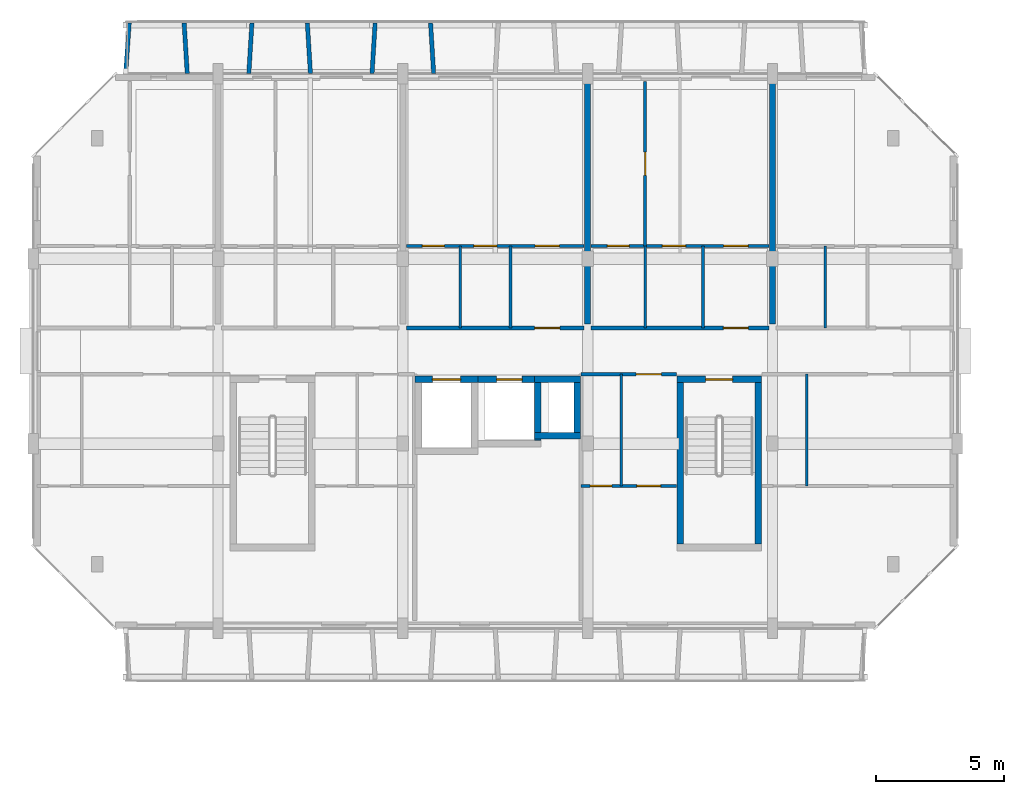
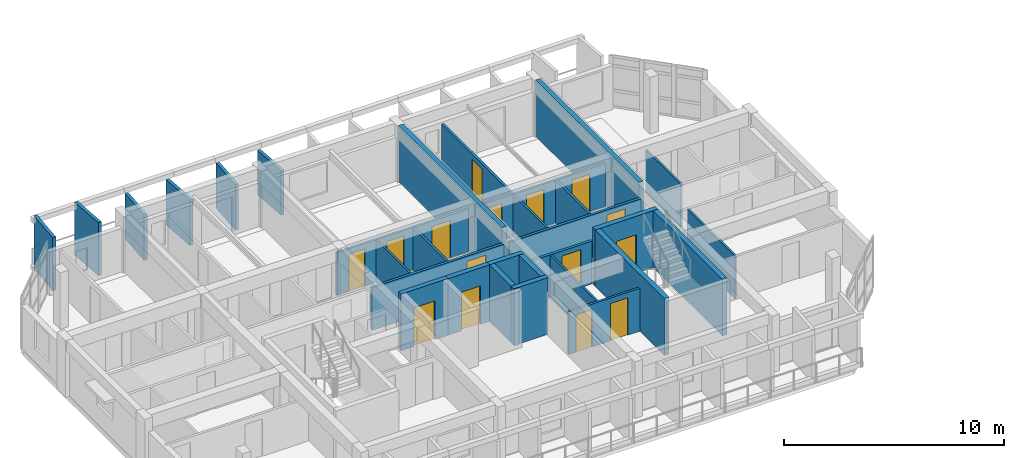
# One storey, part 21 of 45: 31 walls, 15 doors, 15 openings.
"""IFC4 building model written with IfcOpenShell, lengths in metres."""

from ifc_helpers import new_model, si_unit, direction, frame, frame_2d, origin, place, context, subcontext, project, spatial, rectangle, extrude, material, layer, layer_set, type_object, element, fill, save


model = new_model("IFC4")

# Units and contexts
model_context = context("Model", 3, precision=1e-05, world=origin(), true_north=direction((0.0, 1.0)))
body_context = subcontext(model_context, "Body", "Model", "MODEL_VIEW")
ifc_project = project(units=[si_unit("LENGTHUNIT", "METRE"), si_unit("AREAUNIT", "SQUARE_METRE"), si_unit("VOLUMEUNIT", "CUBIC_METRE"), si_unit("PLANEANGLEUNIT", "RADIAN"), si_unit("MASSUNIT", "GRAM", prefix="KILO")], contexts=[model_context])

# Site, building, storey
site_placement = place(None, origin())
site = spatial("IfcSite", under=ifc_project, at=site_placement, CompositionType="ELEMENT")
building_placement = place(site_placement, origin())
building = spatial("IfcBuilding", under=site, at=building_placement, Name="Ochrevale Crest", CompositionType="ELEMENT")
storey_placement = place(building_placement, frame((0.0, 0.0, 18.14990234375)))
storey = spatial("IfcBuildingStorey", under=building, at=storey_placement, Name="L05", CompositionType="ELEMENT", Elevation=18.14990234375)

# Wall, opening, door
ifc_material_1 = material(Name="Gypsum plasterboard", Category="gypsum")
ifc_layer_1 = layer(ifc_material_1, 0.139892578125)
ifc_layer_set_1 = layer_set([ifc_layer_1], Name="Gypsum plasterboard")
wall_type_1 = type_object("IfcWallType", Name="WL-COR-140", PredefinedType="PARTITIONING", material=ifc_layer_set_1)
wall_1_placement = place(storey_placement, frame((14.5400390625, 83.699951171875, 0.0), z_axis=(0.0, 0.0, 1.0), x_axis=(1.0, 0.0, 0.0)))
wall_1 = element("IfcWall", 1, at=wall_1_placement, inside=storey, type_object=wall_type_1, Name="Apartment B-L05-U3 corridor wall", PredefinedType="PARTITIONING", context=body_context, shape_type="SweptSolid", body=[
    extrude(rectangle(XDim=6.919921875, YDim=0.139892578125, at=frame_2d((3.4599609375, 0.0))), origin(), (0.0, 0.0, 1.0), 2.380126953125),
])
opening_1_placement = place(wall_1_placement, frame((4.9951171875, 0.0, 0.0)))
opening_1 = element("IfcOpeningElement", 2, at=opening_1_placement, cuts=wall_1, Name="Opening FD01", PredefinedType="OPENING", context=body_context, shape_type="SweptSolid", body=[
    extrude(rectangle(XDim=0.97998046875, YDim=2.10009765625, at=frame_2d((0.489990234375, 1.050048828125))), frame((0.0, 0.080078125, 0.0), z_axis=(0.0, -1.0, 0.0), x_axis=(1.0, 0.0, 0.0)), (0.0, 0.0, 1.0), 0.159912109375),
])
ifc_material_2 = material(Name="Solid-core FSC hardwood", Category="wood")
door_type_1 = type_object("IfcDoorType", Name="DR-APT-950", OperationType="NOTDEFINED", PredefinedType="DOOR", material=ifc_material_2)
door_1_placement = place(opening_1_placement, origin())
door_1 = element("IfcDoor", 3, at=door_1_placement, inside=storey, type_object=door_type_1, Name="Apartment B-L05-U3 entrance door", OperationType="SINGLE_SWING_LEFT", OverallHeight=2.10009765625, OverallWidth=0.97998046875, PredefinedType="DOOR", context=body_context, shape_type="SweptSolid", body=[
    extrude(rectangle(XDim=0.97998046875, YDim=2.10009765625, at=frame_2d((0.489990234375, 1.050048828125))), frame((0.0, 0.02490234375, 0.0), z_axis=(0.0, -1.0, 0.0), x_axis=(1.0, 0.0, 0.0)), (0.0, 0.0, 1.0), 0.050048828125),
])
fill(opening_1, door_1)

wall_2_placement = place(storey_placement, frame((21.739990234375, 83.699951171875, 0.0), z_axis=(0.0, 0.0, 1.0), x_axis=(1.0, 0.0, 0.0)))
wall_2 = element("IfcWall", 4, at=wall_2_placement, inside=storey, type_object=wall_type_1, Name="Apartment B-L05-U4 corridor wall", PredefinedType="PARTITIONING", context=body_context, shape_type="SweptSolid", body=[
    extrude(rectangle(XDim=6.919921875, YDim=0.139892578125, at=frame_2d((3.4599609375, 0.0))), origin(), (0.0, 0.0, 1.0), 2.380126953125),
])
opening_2_placement = place(wall_2_placement, frame((5.14501953125, 0.0, 0.0)))
opening_2 = element("IfcOpeningElement", 5, at=opening_2_placement, cuts=wall_2, Name="Opening FD01", PredefinedType="OPENING", context=body_context, shape_type="SweptSolid", body=[
    extrude(rectangle(XDim=0.97998046875, YDim=2.10009765625, at=frame_2d((0.489990234375, 1.050048828125))), frame((0.0, 0.080078125, 0.0), z_axis=(0.0, -1.0, 0.0), x_axis=(1.0, 0.0, 0.0)), (0.0, 0.0, 1.0), 0.159912109375),
])
door_2_placement = place(opening_2_placement, origin())
door_2 = element("IfcDoor", 6, at=door_2_placement, inside=storey, type_object=door_type_1, Name="Apartment B-L05-U4 entrance door", OperationType="SINGLE_SWING_LEFT", OverallHeight=2.10009765625, OverallWidth=0.97998046875, PredefinedType="DOOR", context=body_context, shape_type="SweptSolid", body=[
    extrude(rectangle(XDim=0.97998046875, YDim=2.10009765625, at=frame_2d((0.489990234375, 1.050048828125))), frame((0.0, 0.02490234375, 0.0), z_axis=(0.0, -1.0, 0.0), x_axis=(1.0, 0.0, 0.0)), (0.0, 0.0, 1.0), 0.050048828125),
])
fill(opening_2, door_2)

wall_3_placement = place(storey_placement, frame((21.340087890625, 81.89990234375, 0.0), z_axis=(0.0, 0.0, 1.0), x_axis=(1.0, 0.0, 0.0)))
wall_3 = element("IfcWall", 7, at=wall_3_placement, inside=storey, type_object=wall_type_1, Name="Suite B-L05-ME corridor wall", PredefinedType="PARTITIONING", context=body_context, shape_type="SweptSolid", body=[
    extrude(rectangle(XDim=3.719970703125, YDim=0.139892578125, at=frame_2d((1.85986328125, 0.0))), origin(), (0.0, 0.0, 1.0), 2.380126953125),
])
opening_3_placement = place(wall_3_placement, frame((3.131103515625, 0.0, 0.0), z_axis=(0.0, 0.0, 1.0), x_axis=(-1.0, 0.0, 0.0)))
opening_3 = element("IfcOpeningElement", 8, at=opening_3_placement, cuts=wall_3, Name="Opening FD01", PredefinedType="OPENING", context=body_context, shape_type="SweptSolid", body=[
    extrude(rectangle(XDim=0.97998046875, YDim=2.10009765625, at=frame_2d((0.489990234375, 1.050048828125))), frame((0.0, 0.080078125, 0.0), z_axis=(0.0, -1.0, 0.0), x_axis=(1.0, 0.0, 0.0)), (0.0, 0.0, 1.0), 0.159912109375),
])
door_3_placement = place(opening_3_placement, origin())
door_3 = element("IfcDoor", 9, at=door_3_placement, inside=storey, type_object=door_type_1, Name="Suite B-L05-ME entrance door", OperationType="SINGLE_SWING_RIGHT", OverallHeight=2.10009765625, OverallWidth=0.97998046875, PredefinedType="DOOR", context=body_context, shape_type="SweptSolid", body=[
    extrude(rectangle(XDim=0.97998046875, YDim=2.10009765625, at=frame_2d((0.489990234375, 1.050048828125))), frame((0.0, 0.02490234375, 0.0), z_axis=(0.0, -1.0, 0.0), x_axis=(1.0, 0.0, 0.0)), (0.0, 0.0, 1.0), 0.050048828125),
])
fill(opening_3, door_3)

ifc_material_3 = material(Name="Precast concrete C50/60", Category="concrete")
ifc_layer_2 = layer(ifc_material_3, 0.2548828125)
ifc_layer_set_2 = layer_set([ifc_layer_2], Name="Precast concrete C50/60")
wall_type_2 = type_object("IfcWallType", Name="WL-CORE-255", PredefinedType="SHEAR", material=ifc_layer_set_2)
wall_4_placement = place(storey_placement, frame((25.072509765625, 81.699951171875, 0.0), z_axis=(0.0, 0.0, 1.0), x_axis=(1.0, 0.0, 0.0)))
wall_4 = element("IfcWall", 10, at=wall_4_placement, inside=storey, type_object=wall_type_2, Name="Block B L05 Stair 2 precast core shear wall N", PredefinedType="SHEAR", context=body_context, shape_type="SweptSolid", body=[
    extrude(rectangle(XDim=3.304931640625, YDim=0.2548828125, at=frame_2d((1.65234375, 0.0))), origin(), (0.0, 0.0, 1.0), 3.150146484375),
])
opening_4_placement = place(wall_4_placement, frame((1.12744140625, 0.0, 0.0)))
opening_4 = element("IfcOpeningElement", 11, at=opening_4_placement, cuts=wall_4, Name="Opening FD03", PredefinedType="OPENING", context=body_context, shape_type="SweptSolid", body=[
    extrude(rectangle(XDim=1.050048828125, YDim=2.1201171875, at=frame_2d((0.52490234375, 1.06005859375))), frame((0.0, 0.137451171875, 0.0), z_axis=(0.0, -1.0, 0.0), x_axis=(1.0, 0.0, 0.0)), (0.0, 0.0, 1.0), 0.27490234375),
])
door_type_2 = type_object("IfcDoorType", Name="DR-ST-1050", OperationType="NOTDEFINED", PredefinedType="DOOR", material=ifc_material_2)
door_4_placement = place(opening_4_placement, origin())
door_4 = element("IfcDoor", 12, at=door_4_placement, inside=storey, type_object=door_type_2, Name="Block B L05 fire stair 2 door", OperationType="SINGLE_SWING_LEFT", OverallHeight=2.1201171875, OverallWidth=1.050048828125, PredefinedType="DOOR", context=body_context, shape_type="SweptSolid", body=[
    extrude(rectangle(XDim=1.050048828125, YDim=2.1201171875, at=frame_2d((0.52490234375, 1.06005859375))), frame((0.0, 0.02490234375, 0.0), z_axis=(0.0, -1.0, 0.0), x_axis=(1.0, 0.0, 0.0)), (0.0, 0.0, 1.0), 0.050048828125),
])
fill(opening_4, door_4)

# Walls
for number, where, z_axis, x_axis, name in (
    (13, (25.199951171875, 75.277587890625, 0.0), (0.0, 0.0, 1.0), (0.0, 1.0, 0.0), "Block B L05 Stair 2 precast core shear wall W"),
    (14, (28.25, 75.277587890625, 0.0), (0.0, 0.0, 1.0), (0.0, 1.0, 0.0), "Block B L05 Stair 2 precast core shear wall E"),
):
    element("IfcWall", number, at=place(storey_placement, frame(where, z_axis=z_axis, x_axis=x_axis)), inside=storey, type_object=wall_type_2, Name=name, PredefinedType="SHEAR", context=body_context, shape_type="SweptSolid", body=[
        extrude(rectangle(XDim=6.294921875, YDim=0.2548828125, at=frame_2d((3.1474609375, 0.0))), origin(), (0.0, 0.0, 1.0), 3.150146484375),
    ])

# Wall, opening, door
wall_5_placement = place(storey_placement, frame((14.87255859375, 81.699951171875, 0.0), z_axis=(0.0, 0.0, 1.0), x_axis=(1.0, 0.0, 0.0)))
wall_5 = element("IfcWall", 15, at=wall_5_placement, inside=storey, type_object=wall_type_2, Name="Block B L05 Lift 1 precast shaft shear wall N", PredefinedType="SHEAR", context=body_context, shape_type="SweptSolid", body=[
    extrude(rectangle(XDim=2.454833984375, YDim=0.2548828125, at=frame_2d((1.2275390625, 0.0))), origin(), (0.0, 0.0, 1.0), 3.150146484375),
])
opening_5_placement = place(wall_5_placement, frame((0.677490234375, 0.0, 0.0)))
opening_5 = element("IfcOpeningElement", 16, at=opening_5_placement, cuts=wall_5, Name="Opening LD01", PredefinedType="OPENING", context=body_context, shape_type="SweptSolid", body=[
    extrude(rectangle(XDim=1.10009765625, YDim=2.14990234375, at=frame_2d((0.550048828125, 1.074951171875))), frame((0.0, 0.137451171875, 0.0), z_axis=(0.0, -1.0, 0.0), x_axis=(1.0, 0.0, 0.0)), (0.0, 0.0, 1.0), 0.27490234375),
])
door_type_3 = type_object("IfcDoorType", Name="DR-LIFT-1100", OperationType="NOTDEFINED", PredefinedType="DOOR", material=ifc_material_2)
door_5_placement = place(opening_5_placement, origin())
door_5 = element("IfcDoor", 17, at=door_5_placement, inside=storey, type_object=door_type_3, Name="Lift LF-B1 L05 sliding landing door", OperationType="SLIDING_TO_LEFT", OverallHeight=2.14990234375, OverallWidth=1.10009765625, PredefinedType="DOOR", context=body_context, shape_type="SweptSolid", body=[
    extrude(rectangle(XDim=1.10009765625, YDim=2.14990234375, at=frame_2d((0.550048828125, 1.074951171875))), frame((0.0, 0.02490234375, 0.0), z_axis=(0.0, -1.0, 0.0), x_axis=(1.0, 0.0, 0.0)), (0.0, 0.0, 1.0), 0.050048828125),
])
fill(opening_5, door_5)

wall_6_placement = place(storey_placement, frame((17.322509765625, 81.699951171875, 0.0), z_axis=(0.0, 0.0, 1.0), x_axis=(1.0, 0.0, 0.0)))
wall_6 = element("IfcWall", 18, at=wall_6_placement, inside=storey, type_object=wall_type_2, Name="Block B L05 Lift 2 precast shaft shear wall N", PredefinedType="SHEAR", context=body_context, shape_type="SweptSolid", body=[
    extrude(rectangle(XDim=2.455078125, YDim=0.2548828125, at=frame_2d((1.2275390625, 0.0))), origin(), (0.0, 0.0, 1.0), 3.150146484375),
])
opening_6_placement = place(wall_6_placement, frame((0.7275390625, 0.0, 0.0)))
opening_6 = element("IfcOpeningElement", 19, at=opening_6_placement, cuts=wall_6, Name="Opening LD02", PredefinedType="OPENING", context=body_context, shape_type="SweptSolid", body=[
    extrude(rectangle(XDim=1.0, YDim=2.14990234375, at=frame_2d((0.5, 1.074951171875))), frame((0.0, 0.137451171875, 0.0), z_axis=(0.0, -1.0, 0.0), x_axis=(1.0, 0.0, 0.0)), (0.0, 0.0, 1.0), 0.27490234375),
])
door_type_4 = type_object("IfcDoorType", Name="DR-LIFT-1000", OperationType="NOTDEFINED", PredefinedType="DOOR", material=ifc_material_2)
door_6_placement = place(opening_6_placement, origin())
door_6 = element("IfcDoor", 20, at=door_6_placement, inside=storey, type_object=door_type_4, Name="Lift LP-B2 L05 sliding landing door", OperationType="SLIDING_TO_RIGHT", OverallHeight=2.14990234375, OverallWidth=1.0, PredefinedType="DOOR", context=body_context, shape_type="SweptSolid", body=[
    extrude(rectangle(XDim=1.0, YDim=2.14990234375, at=frame_2d((0.5, 1.074951171875))), frame((0.0, 0.02490234375, 0.0), z_axis=(0.0, -1.0, 0.0), x_axis=(1.0, 0.0, 0.0)), (0.0, 0.0, 1.0), 0.050048828125),
])
fill(opening_6, door_6)

# Walls
wall_7_placement = place(storey_placement, frame((19.64990234375, 79.327392578125, 0.0), z_axis=(0.0, 0.0, 1.0), x_axis=(0.0, 1.0, 0.0)))
element("IfcWall", 21, at=wall_7_placement, inside=storey, type_object=wall_type_2, Name="Block B L05 Lift 2 precast shaft shear wall E", PredefinedType="SHEAR", context=body_context, shape_type="SweptSolid", body=[
    extrude(rectangle(XDim=2.2451171875, YDim=0.2548828125, at=frame_2d((1.12255859375, 0.0))), origin(), (0.0, 0.0, 1.0), 3.150146484375),
])
for number, where, z_axis, x_axis, name in (
    (22, (19.5224609375, 79.5, 0.0), (0.0, 0.0, 1.0), (1.0, 0.0, 0.0), "Block B L05 services riser shaft core wall S"),
    (23, (19.5224609375, 81.699951171875, 0.0), (0.0, 0.0, 1.0), (1.0, 0.0, 0.0), "Block B L05 services riser shaft core wall N"),
):
    element("IfcWall", number, at=place(storey_placement, frame(where, z_axis=z_axis, x_axis=x_axis)), inside=storey, type_object=wall_type_2, Name=name, PredefinedType="SHEAR", context=body_context, shape_type="SweptSolid", body=[
        extrude(rectangle(XDim=1.804931640625, YDim=0.2548828125, at=frame_2d((0.90234375, 0.0))), origin(), (0.0, 0.0, 1.0), 3.150146484375),
    ])
wall_8_placement = place(storey_placement, frame((21.199951171875, 79.62744140625, 0.0), z_axis=(0.0, 0.0, 1.0), x_axis=(0.0, 1.0, 0.0)))
element("IfcWall", 24, at=wall_8_placement, inside=storey, type_object=wall_type_2, Name="Block B L05 services riser shaft core wall E", PredefinedType="SHEAR", context=body_context, shape_type="SweptSolid", body=[
    extrude(rectangle(XDim=1.945068359375, YDim=0.2548828125, at=frame_2d((0.97265625, 0.0))), origin(), (0.0, 0.0, 1.0), 3.150146484375),
])
ifc_material_4 = material(Name="Precast concrete C40/50", Category="concrete")
ifc_layer_3 = layer(ifc_material_4, 0.1650390625)
ifc_layer_set_3 = layer_set([ifc_layer_3], Name="Precast concrete C40/50")
wall_type_3 = type_object("IfcWallType", Name="WL-HC-CHEEK-165", PredefinedType="ELEMENTEDWALL", material=ifc_layer_set_3)
wall_9_placement = place(storey_placement, frame((3.60009765625, 93.6201171875, 0.0), z_axis=(0.0, 0.0, 1.0), x_axis=(0.071194071069, 0.997462482625, 0.0)))
element("IfcWall", 25, at=wall_9_placement, inside=storey, type_object=wall_type_3, Name="Block B L05 N precast honeycomb cheek 1", PredefinedType="ELEMENTEDWALL", context=body_context, shape_type="SweptSolid", body=[
    extrude(rectangle(XDim=1.96484375, YDim=0.1650390625, at=frame_2d((0.982421875, 0.0))), origin(), (0.0, 0.0, 1.0), 2.9501953125),
])
wall_10_placement = place(storey_placement, frame((6.0, 93.6201171875, 0.0), z_axis=(0.0, 0.0, 1.0), x_axis=(-0.061170732449, 0.998127317276, 0.0)))
element("IfcWall", 26, at=wall_10_placement, inside=storey, type_object=wall_type_3, Name="Block B L05 N precast honeycomb cheek 2", PredefinedType="ELEMENTEDWALL", context=body_context, shape_type="SweptSolid", body=[
    extrude(rectangle(XDim=1.963623046875, YDim=0.1650390625, at=frame_2d((0.98193359375, 0.0))), origin(), (0.0, 0.0, 1.0), 2.9501953125),
])
for number, where, z_axis, x_axis, name in (
    (27, (8.39990234375, 93.6201171875, 0.0), (0.0, 0.0, 1.0), (0.061170732449, 0.998127317276, 0.0), "Block B L05 N precast honeycomb cheek 3"),
    (28, (10.800048828125, 93.6201171875, 0.0), (0.0, 0.0, 1.0), (-0.061170732449, 0.998127317276, 0.0), "Block B L05 N precast honeycomb cheek 4"),
    (29, (13.199951171875, 93.6201171875, 0.0), (0.0, 0.0, 1.0), (0.061170732449, 0.998127317276, 0.0), "Block B L05 N precast honeycomb cheek 5"),
):
    element("IfcWall", number, at=place(storey_placement, frame(where, z_axis=z_axis, x_axis=x_axis)), inside=storey, type_object=wall_type_3, Name=name, PredefinedType="ELEMENTEDWALL", context=body_context, shape_type="SweptSolid", body=[
        extrude(rectangle(XDim=1.963623046875, YDim=0.1650390625, at=frame_2d((0.98193359375, 0.0))), origin(), (0.0, 0.0, 1.0), 2.530029296875),
    ])
wall_11_placement = place(storey_placement, frame((15.60009765625, 93.6201171875, 0.0), z_axis=(0.0, 0.0, 1.0), x_axis=(-0.061170732449, 0.998127317276, 0.0)))
element("IfcWall", 30, at=wall_11_placement, inside=storey, type_object=wall_type_3, Name="Block B L05 N precast honeycomb cheek 6", PredefinedType="ELEMENTEDWALL", context=body_context, shape_type="SweptSolid", body=[
    extrude(rectangle(XDim=1.963623046875, YDim=0.1650390625, at=frame_2d((0.98193359375, 0.0))), origin(), (0.0, 0.0, 1.0), 2.47998046875),
])
ifc_layer_4 = layer(ifc_material_1, 0.1201171875)
ifc_layer_set_4 = layer_set([ifc_layer_4], Name="Gypsum plasterboard")
wall_type_4 = type_object("IfcWallType", Name="WL-PART-120", PredefinedType="PARTITIONING", material=ifc_layer_set_4)
wall_12_placement = place(storey_placement, frame((18.590087890625, 83.699951171875, 0.0), z_axis=(0.0, 0.0, 1.0), x_axis=(0.0, 1.0, 0.0)))
element("IfcWall", 31, at=wall_12_placement, inside=storey, type_object=wall_type_4, Name="Apartment B-L05-U3 kitchen-foyer wall", PredefinedType="PARTITIONING", context=body_context, shape_type="SweptSolid", body=[
    extrude(rectangle(XDim=3.199951171875, YDim=0.1201171875, at=frame_2d((1.60009765625, 0.0))), origin(), (0.0, 0.0, 1.0), 2.375),
])

# Wall, openings, doors
wall_13_placement = place(storey_placement, frame((14.5400390625, 86.89990234375, 0.0), z_axis=(0.0, 0.0, 1.0), x_axis=(1.0, 0.0, 0.0)))
wall_13 = element("IfcWall", 32, at=wall_13_placement, inside=storey, type_object=wall_type_4, Name="Apartment B-L05-U3 central partition", PredefinedType="PARTITIONING", context=body_context, shape_type="SweptSolid", body=[
    extrude(rectangle(XDim=6.919921875, YDim=0.1201171875, at=frame_2d((3.4599609375, 0.0))), origin(), (0.0, 0.0, 1.0), 2.380126953125),
])
opening_7_placement = place(wall_13_placement, frame((1.47509765625, 0.0, 0.0), z_axis=(0.0, 0.0, 1.0), x_axis=(-1.0, 0.0, 0.0)))
opening_7 = element("IfcOpeningElement", 33, at=opening_7_placement, cuts=wall_13, Name="Opening ID01", PredefinedType="OPENING", context=body_context, shape_type="SweptSolid", body=[
    extrude(rectangle(XDim=0.85009765625, YDim=2.080078125, at=frame_2d((0.425048828125, 1.0400390625))), frame((0.0, 0.070068359375, 0.0), z_axis=(0.0, -1.0, 0.0), x_axis=(1.0, 0.0, 0.0)), (0.0, 0.0, 1.0), 0.14013671875),
])
opening_8_placement = place(wall_13_placement, frame((2.625, 0.0, 0.0)))
opening_8 = element("IfcOpeningElement", 34, at=opening_8_placement, cuts=wall_13, Name="Opening ID02", PredefinedType="OPENING", context=body_context, shape_type="SweptSolid", body=[
    extrude(rectangle(XDim=0.89990234375, YDim=2.080078125, at=frame_2d((0.449951171875, 1.0400390625))), frame((0.0, 0.070068359375, 0.0), z_axis=(0.0, -1.0, 0.0), x_axis=(1.0, 0.0, 0.0)), (0.0, 0.0, 1.0), 0.14013671875),
])
opening_9_placement = place(wall_13_placement, frame((5.9599609375, 0.0, 0.0), z_axis=(0.0, 0.0, 1.0), x_axis=(-1.0, 0.0, 0.0)))
opening_9 = element("IfcOpeningElement", 35, at=opening_9_placement, cuts=wall_13, Name="Opening ID06", PredefinedType="OPENING", context=body_context, shape_type="SweptSolid", body=[
    extrude(rectangle(XDim=0.949951171875, YDim=2.080078125, at=frame_2d((0.47509765625, 1.0400390625))), frame((0.0, 0.070068359375, 0.0), z_axis=(0.0, -1.0, 0.0), x_axis=(1.0, 0.0, 0.0)), (0.0, 0.0, 1.0), 0.14013671875),
])
door_type_5 = type_object("IfcDoorType", Name="DR-INT-900", OperationType="NOTDEFINED", PredefinedType="DOOR", material=ifc_material_2)
door_7_placement = place(opening_8_placement, origin())
door_7 = element("IfcDoor", 36, at=door_7_placement, inside=storey, type_object=door_type_5, Name="Apartment B-L05-U3 Kitchen door", OperationType="SINGLE_SWING_LEFT", OverallHeight=2.080078125, OverallWidth=0.89990234375, PredefinedType="DOOR", context=body_context, shape_type="SweptSolid", body=[
    extrude(rectangle(XDim=0.89990234375, YDim=2.080078125, at=frame_2d((0.449951171875, 1.0400390625))), frame((0.0, 0.02490234375, 0.0), z_axis=(0.0, -1.0, 0.0), x_axis=(1.0, 0.0, 0.0)), (0.0, 0.0, 1.0), 0.050048828125),
])
fill(opening_8, door_7)
door_type_6 = type_object("IfcDoorType", Name="DR-INT-950", OperationType="NOTDEFINED", PredefinedType="DOOR", material=ifc_material_2)
door_8_placement = place(opening_9_placement, origin())
door_8 = element("IfcDoor", 37, at=door_8_placement, inside=storey, type_object=door_type_6, Name="Apartment B-L05-U3 Living Foyer door", OperationType="SINGLE_SWING_RIGHT", OverallHeight=2.080078125, OverallWidth=0.949951171875, PredefinedType="DOOR", context=body_context, shape_type="SweptSolid", body=[
    extrude(rectangle(XDim=0.949951171875, YDim=2.080078125, at=frame_2d((0.47509765625, 1.0400390625))), frame((0.0, 0.02490234375, 0.0), z_axis=(0.0, -1.0, 0.0), x_axis=(1.0, 0.0, 0.0)), (0.0, 0.0, 1.0), 0.050048828125),
])
fill(opening_9, door_8)
door_type_7 = type_object("IfcDoorType", Name="DR-WC-850", OperationType="NOTDEFINED", PredefinedType="DOOR", material=ifc_material_2)
door_9_placement = place(opening_7_placement, origin())
door_9 = element("IfcDoor", 38, at=door_9_placement, inside=storey, type_object=door_type_7, Name="Apartment B-L05-U3 Bathroom door", OperationType="SINGLE_SWING_RIGHT", OverallHeight=2.080078125, OverallWidth=0.85009765625, PredefinedType="DOOR", context=body_context, shape_type="SweptSolid", body=[
    extrude(rectangle(XDim=0.85009765625, YDim=2.080078125, at=frame_2d((0.425048828125, 1.0400390625))), frame((0.0, 0.02490234375, 0.0), z_axis=(0.0, -1.0, 0.0), x_axis=(1.0, 0.0, 0.0)), (0.0, 0.0, 1.0), 0.050048828125),
])
fill(opening_7, door_9)

# Wall
wall_14_placement = place(storey_placement, frame((26.090087890625, 83.699951171875, 0.0), z_axis=(0.0, 0.0, 1.0), x_axis=(0.0, 1.0, 0.0)))
element("IfcWall", 39, at=wall_14_placement, inside=storey, type_object=wall_type_4, Name="Apartment B-L05-U4 kitchen-foyer wall", PredefinedType="PARTITIONING", context=body_context, shape_type="SweptSolid", body=[
    extrude(rectangle(XDim=3.199951171875, YDim=0.1201171875, at=frame_2d((1.60009765625, 0.0))), origin(), (0.0, 0.0, 1.0), 2.375),
])

# Wall, openings, doors
wall_15_placement = place(storey_placement, frame((21.739990234375, 86.89990234375, 0.0), z_axis=(0.0, 0.0, 1.0), x_axis=(1.0, 0.0, 0.0)))
wall_15 = element("IfcWall", 40, at=wall_15_placement, inside=storey, type_object=wall_type_4, Name="Apartment B-L05-U4 central partition", PredefinedType="PARTITIONING", context=body_context, shape_type="SweptSolid", body=[
    extrude(rectangle(XDim=6.919921875, YDim=0.1201171875, at=frame_2d((3.4599609375, 0.0))), origin(), (0.0, 0.0, 1.0), 2.380126953125),
])
opening_10_placement = place(wall_15_placement, frame((1.47509765625, 0.0, 0.0), z_axis=(0.0, 0.0, 1.0), x_axis=(-1.0, 0.0, 0.0)))
opening_10 = element("IfcOpeningElement", 41, at=opening_10_placement, cuts=wall_15, Name="Opening ID01", PredefinedType="OPENING", context=body_context, shape_type="SweptSolid", body=[
    extrude(rectangle(XDim=0.85009765625, YDim=2.080078125, at=frame_2d((0.425048828125, 1.0400390625))), frame((0.0, 0.070068359375, 0.0), z_axis=(0.0, -1.0, 0.0), x_axis=(1.0, 0.0, 0.0)), (0.0, 0.0, 1.0), 0.14013671875),
])
opening_11_placement = place(wall_15_placement, frame((2.77490234375, 0.0, 0.0)))
opening_11 = element("IfcOpeningElement", 42, at=opening_11_placement, cuts=wall_15, Name="Opening ID02", PredefinedType="OPENING", context=body_context, shape_type="SweptSolid", body=[
    extrude(rectangle(XDim=0.89990234375, YDim=2.080078125, at=frame_2d((0.449951171875, 1.0400390625))), frame((0.0, 0.070068359375, 0.0), z_axis=(0.0, -1.0, 0.0), x_axis=(1.0, 0.0, 0.0)), (0.0, 0.0, 1.0), 0.14013671875),
])
opening_12_placement = place(wall_15_placement, frame((6.10986328125, 0.0, 0.0), z_axis=(0.0, 0.0, 1.0), x_axis=(-1.0, 0.0, 0.0)))
opening_12 = element("IfcOpeningElement", 43, at=opening_12_placement, cuts=wall_15, Name="Opening ID06", PredefinedType="OPENING", context=body_context, shape_type="SweptSolid", body=[
    extrude(rectangle(XDim=0.949951171875, YDim=2.080078125, at=frame_2d((0.47509765625, 1.0400390625))), frame((0.0, 0.070068359375, 0.0), z_axis=(0.0, -1.0, 0.0), x_axis=(1.0, 0.0, 0.0)), (0.0, 0.0, 1.0), 0.14013671875),
])
door_10_placement = place(opening_11_placement, origin())
door_10 = element("IfcDoor", 44, at=door_10_placement, inside=storey, type_object=door_type_5, Name="Apartment B-L05-U4 Kitchen door", OperationType="SINGLE_SWING_LEFT", OverallHeight=2.080078125, OverallWidth=0.89990234375, PredefinedType="DOOR", context=body_context, shape_type="SweptSolid", body=[
    extrude(rectangle(XDim=0.89990234375, YDim=2.080078125, at=frame_2d((0.449951171875, 1.0400390625))), frame((0.0, 0.02490234375, 0.0), z_axis=(0.0, -1.0, 0.0), x_axis=(1.0, 0.0, 0.0)), (0.0, 0.0, 1.0), 0.050048828125),
])
fill(opening_11, door_10)
door_11_placement = place(opening_12_placement, origin())
door_11 = element("IfcDoor", 45, at=door_11_placement, inside=storey, type_object=door_type_6, Name="Apartment B-L05-U4 Living Foyer door", OperationType="SINGLE_SWING_RIGHT", OverallHeight=2.080078125, OverallWidth=0.949951171875, PredefinedType="DOOR", context=body_context, shape_type="SweptSolid", body=[
    extrude(rectangle(XDim=0.949951171875, YDim=2.080078125, at=frame_2d((0.47509765625, 1.0400390625))), frame((0.0, 0.02490234375, 0.0), z_axis=(0.0, -1.0, 0.0), x_axis=(1.0, 0.0, 0.0)), (0.0, 0.0, 1.0), 0.050048828125),
])
fill(opening_12, door_11)
door_12_placement = place(opening_10_placement, origin())
door_12 = element("IfcDoor", 46, at=door_12_placement, inside=storey, type_object=door_type_7, Name="Apartment B-L05-U4 Bathroom door", OperationType="SINGLE_SWING_RIGHT", OverallHeight=2.080078125, OverallWidth=0.85009765625, PredefinedType="DOOR", context=body_context, shape_type="SweptSolid", body=[
    extrude(rectangle(XDim=0.85009765625, YDim=2.080078125, at=frame_2d((0.425048828125, 1.0400390625))), frame((0.0, 0.02490234375, 0.0), z_axis=(0.0, -1.0, 0.0), x_axis=(1.0, 0.0, 0.0)), (0.0, 0.0, 1.0), 0.050048828125),
])
fill(opening_10, door_12)

# Wall, opening, door
wall_16_placement = place(storey_placement, frame((23.840087890625, 86.89990234375, 0.0), z_axis=(0.0, 0.0, 1.0), x_axis=(0.0, 1.0, 0.0)))
wall_16 = element("IfcWall", 47, at=wall_16_placement, inside=storey, type_object=wall_type_4, Name="Apartment B-L05-U4 bedroom partition", PredefinedType="PARTITIONING", context=body_context, shape_type="SweptSolid", body=[
    extrude(rectangle(XDim=6.400146484375, YDim=0.1201171875, at=frame_2d((3.2001953125, 0.0))), origin(), (0.0, 0.0, 1.0), 2.380126953125),
])
opening_13_placement = place(wall_16_placement, frame((2.75, 0.0, 0.0)))
opening_13 = element("IfcOpeningElement", 48, at=opening_13_placement, cuts=wall_16, Name="Opening ID02", PredefinedType="OPENING", context=body_context, shape_type="SweptSolid", body=[
    extrude(rectangle(XDim=0.89990234375, YDim=2.080078125, at=frame_2d((0.449951171875, 1.0400390625))), frame((0.0, 0.070068359375, 0.0), z_axis=(0.0, -1.0, 0.0), x_axis=(1.0, 0.0, 0.0)), (0.0, 0.0, 1.0), 0.14013671875),
])
door_13_placement = place(opening_13_placement, origin())
door_13 = element("IfcDoor", 49, at=door_13_placement, inside=storey, type_object=door_type_5, Name="Apartment B-L05-U4 Master Bedroom door", OperationType="SINGLE_SWING_LEFT", OverallHeight=2.080078125, OverallWidth=0.89990234375, PredefinedType="DOOR", context=body_context, shape_type="SweptSolid", body=[
    extrude(rectangle(XDim=0.89990234375, YDim=2.080078125, at=frame_2d((0.449951171875, 1.0400390625))), frame((0.0, 0.02490234375, 0.0), z_axis=(0.0, -1.0, 0.0), x_axis=(1.0, 0.0, 0.0)), (0.0, 0.0, 1.0), 0.050048828125),
])
fill(opening_13, door_13)

# Wall, openings, doors
wall_17_placement = place(storey_placement, frame((21.340087890625, 77.550048828125, 0.0), z_axis=(0.0, 0.0, 1.0), x_axis=(1.0, 0.0, 0.0)))
wall_17 = element("IfcWall", 50, at=wall_17_placement, inside=storey, type_object=wall_type_4, Name="Suite B-L05-ME internal wall", PredefinedType="PARTITIONING", context=body_context, shape_type="SweptSolid", body=[
    extrude(rectangle(XDim=3.719970703125, YDim=0.1201171875, at=frame_2d((1.85986328125, 0.0))), origin(), (0.0, 0.0, 1.0), 2.380126953125),
])
opening_14_placement = place(wall_17_placement, frame((0.356201171875, 0.0, 0.0)))
opening_14 = element("IfcOpeningElement", 51, at=opening_14_placement, cuts=wall_17, Name="Opening ID01", PredefinedType="OPENING", context=body_context, shape_type="SweptSolid", body=[
    extrude(rectangle(XDim=0.85009765625, YDim=2.080078125, at=frame_2d((0.425048828125, 1.0400390625))), frame((0.0, 0.070068359375, 0.0), z_axis=(0.0, -1.0, 0.0), x_axis=(1.0, 0.0, 0.0)), (0.0, 0.0, 1.0), 0.14013671875),
])
opening_15_placement = place(wall_17_placement, frame((3.10107421875, 0.0, 0.0), z_axis=(0.0, 0.0, 1.0), x_axis=(-1.0, 0.0, 0.0)))
opening_15 = element("IfcOpeningElement", 52, at=opening_15_placement, cuts=wall_17, Name="Opening ID04", PredefinedType="OPENING", context=body_context, shape_type="SweptSolid", body=[
    extrude(rectangle(XDim=0.919921875, YDim=2.080078125, at=frame_2d((0.4599609375, 1.0400390625))), frame((0.0, 0.070068359375, 0.0), z_axis=(0.0, -1.0, 0.0), x_axis=(1.0, 0.0, 0.0)), (0.0, 0.0, 1.0), 0.14013671875),
])
door_type_8 = type_object("IfcDoorType", Name="DR-INT-920", OperationType="NOTDEFINED", PredefinedType="DOOR", material=ifc_material_2)
door_14_placement = place(opening_15_placement, origin())
door_14 = element("IfcDoor", 53, at=door_14_placement, inside=storey, type_object=door_type_8, Name="Suite B-L05-ME Garden Alcove Studio door", OperationType="SINGLE_SWING_RIGHT", OverallHeight=2.080078125, OverallWidth=0.919921875, PredefinedType="DOOR", context=body_context, shape_type="SweptSolid", body=[
    extrude(rectangle(XDim=0.919921875, YDim=2.080078125, at=frame_2d((0.4599609375, 1.0400390625))), frame((0.0, 0.02490234375, 0.0), z_axis=(0.0, -1.0, 0.0), x_axis=(1.0, 0.0, 0.0)), (0.0, 0.0, 1.0), 0.050048828125),
])
fill(opening_15, door_14)
door_15_placement = place(opening_14_placement, origin())
door_15 = element("IfcDoor", 54, at=door_15_placement, inside=storey, type_object=door_type_7, Name="Suite B-L05-ME Bathroom door", OperationType="SINGLE_SWING_LEFT", OverallHeight=2.080078125, OverallWidth=0.85009765625, PredefinedType="DOOR", context=body_context, shape_type="SweptSolid", body=[
    extrude(rectangle(XDim=0.85009765625, YDim=2.080078125, at=frame_2d((0.425048828125, 1.0400390625))), frame((0.0, 0.02490234375, 0.0), z_axis=(0.0, -1.0, 0.0), x_axis=(1.0, 0.0, 0.0)), (0.0, 0.0, 1.0), 0.050048828125),
])
fill(opening_14, door_15)

# Walls
ifc_layer_5 = layer(ifc_material_3, 0.239990234375)
ifc_layer_set_5 = layer_set([ifc_layer_5], Name="Precast concrete C50/60")
wall_type_5 = type_object("IfcWallType", Name="WL-SHEAR-240", PredefinedType="SHEAR", material=ifc_layer_set_5)
for number, where, z_axis, x_axis, name in (
    (55, (21.60009765625, 83.85009765625, 0.0), (0.0, 0.0, 1.0), (0.0, 1.0, 0.0), "Block B L05 load-bearing precast cross-wall X=21.6"),
    (56, (28.800048828125, 83.85009765625, 0.0), (0.0, 0.0, 1.0), (0.0, 1.0, 0.0), "Block B L05 load-bearing precast cross-wall X=28.8"),
):
    element("IfcWall", number, at=place(storey_placement, frame(where, z_axis=z_axis, x_axis=x_axis)), inside=storey, type_object=wall_type_5, Name=name, PredefinedType="SHEAR", context=body_context, shape_type="SweptSolid", body=[
        extrude(rectangle(XDim=9.39990234375, YDim=0.239990234375, at=frame_2d((4.699951171875, 0.0))), origin(), (0.0, 0.0, 1.0), 3.150146484375),
    ])
ifc_layer_6 = layer(ifc_material_1, 0.10009765625)
ifc_layer_set_6 = layer_set([ifc_layer_6], Name="Gypsum plasterboard")
wall_type_6 = type_object("IfcWallType", Name="WL-WET-100", PredefinedType="PARTITIONING", material=ifc_layer_set_6)
for number, where, z_axis, x_axis, name in (
    (57, (16.639892578125, 83.699951171875, 0.0), (0.0, 0.0, 1.0), (0.0, 1.0, 0.0), "Apartment B-L05-U3 bath-kitchen wall"),
    (58, (23.840087890625, 83.699951171875, 0.0), (0.0, 0.0, 1.0), (0.0, 1.0, 0.0), "Apartment B-L05-U4 bath-kitchen wall"),
    (59, (30.85009765625, 83.699951171875, 0.0), (0.0, 0.0, 1.0), (0.0, 1.0, 0.0), "Apartment B-L05-U5 bath-kitchen wall"),
):
    element("IfcWall", number, at=place(storey_placement, frame(where, z_axis=z_axis, x_axis=x_axis)), inside=storey, type_object=wall_type_6, Name=name, PredefinedType="PARTITIONING", context=body_context, shape_type="SweptSolid", body=[
        extrude(rectangle(XDim=3.199951171875, YDim=0.10009765625, at=frame_2d((1.60009765625, 0.0))), origin(), (0.0, 0.0, 1.0), 2.375),
    ])
for number, where, z_axis, x_axis, name in (
    (60, (22.90234375, 77.550048828125, 0.0), (0.0, 0.0, 1.0), (0.0, 1.0, 0.0), "Suite B-L05-ME bathroom divider"),
    (61, (30.139892578125, 77.550048828125, 0.0), (0.0, 0.0, 1.0), (0.0, 1.0, 0.0), "Suite B-L05-CE bathroom divider"),
):
    element("IfcWall", number, at=place(storey_placement, frame(where, z_axis=z_axis, x_axis=x_axis)), inside=storey, type_object=wall_type_6, Name=name, PredefinedType="PARTITIONING", context=body_context, shape_type="SweptSolid", body=[
        extrude(rectangle(XDim=4.349853515625, YDim=0.10009765625, at=frame_2d((2.1748046875, 0.0))), origin(), (0.0, 0.0, 1.0), 2.375),
    ])

save(model, "model.ifc")
